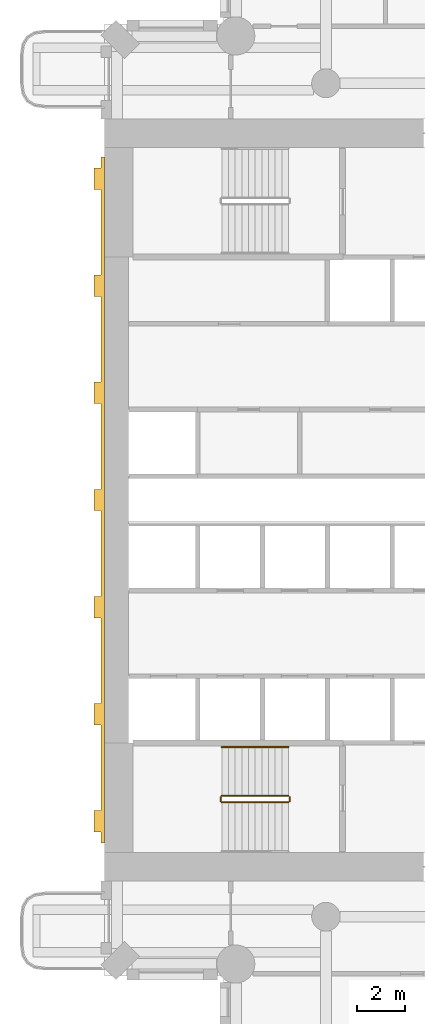
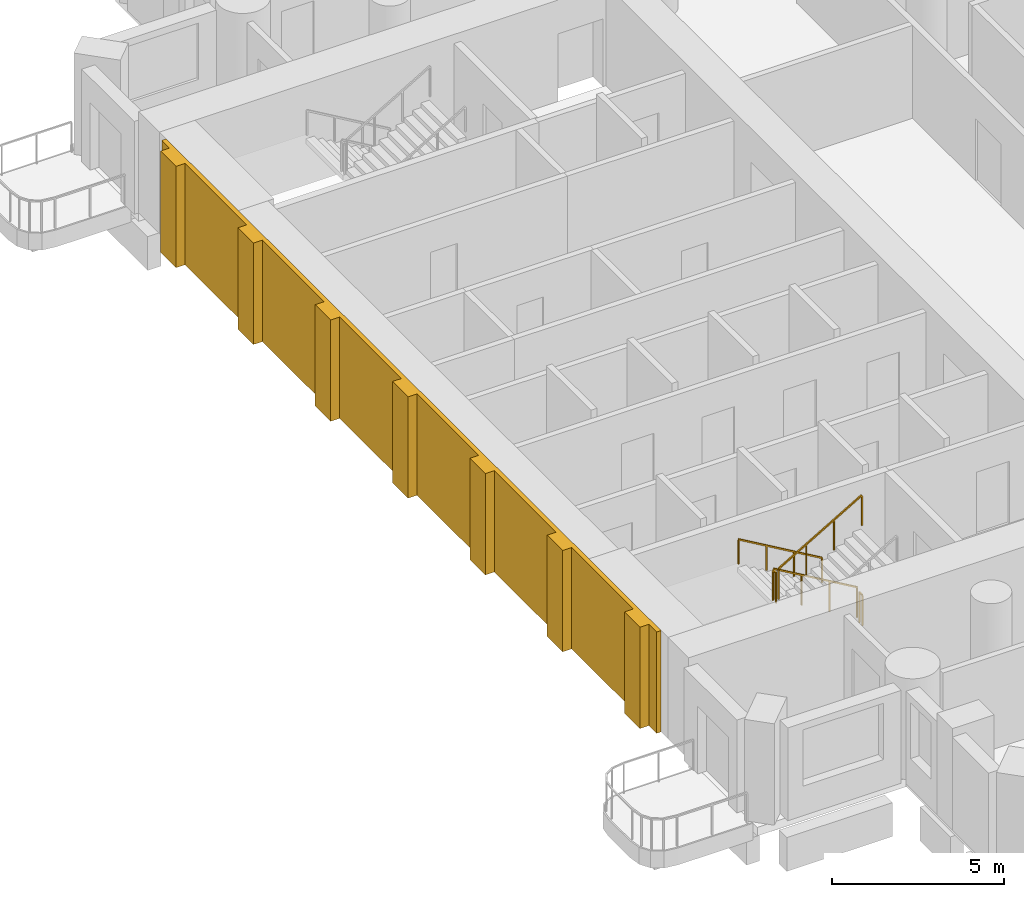
# One storey, part 13 of 19: 5 railings, 1 covering.
"""IFC4 building model written with IfcOpenShell, lengths in metres."""

from ifc_helpers import new_model, si_unit, direction, frame, origin, origin_2d, place, context, subcontext, project, spatial, polyline, rectangle, outline, extrude, material, layer, layer_set, type_object, element, save


model = new_model("IFC4")

# Units and contexts
model_context = context("Model", 3, precision=1e-05, world=origin(), true_north=direction((0.0, 1.0)))
body_context = subcontext(model_context, "Body", "Model", "MODEL_VIEW")
ifc_project = project(units=[si_unit("LENGTHUNIT", "METRE"), si_unit("AREAUNIT", "SQUARE_METRE"), si_unit("VOLUMEUNIT", "CUBIC_METRE"), si_unit("PLANEANGLEUNIT", "RADIAN"), si_unit("MASSUNIT", "GRAM", prefix="KILO")], contexts=[model_context])

# Site, building, storey
site_placement = place(None, origin())
site = spatial("IfcSite", under=ifc_project, at=site_placement, CompositionType="ELEMENT")
building_placement = place(site_placement, origin())
building = spatial("IfcBuilding", under=site, at=building_placement, Name="Cypress Arch Tower", CompositionType="ELEMENT")
storey_placement = place(building_placement, frame((0.0, 0.0, 98.699951171875)))
storey = spatial("IfcBuildingStorey", under=building, at=storey_placement, Name="L19", CompositionType="ELEMENT", Elevation=98.699951171875)

# Railings
ifc_material_1 = material(Name="Black powder-coated steel square bar 48 mm", Category="steel")
railing_type_1 = type_object("IfcRailingType", Name="Stair handrail HR1", PredefinedType="HANDRAIL", material=ifc_material_1)
railing_1_placement = place(storey_placement, frame((-22.27490234375, -10.375, 0.16357421875)))
element("IfcRailing", 1, at=railing_1_placement, inside=storey, type_object=railing_type_1, Name="L19 A stair handrail 1", PredefinedType="HANDRAIL", context=body_context, shape_type="SweptSolid", body=[
    extrude(rectangle(XDim=0.048095703125, YDim=0.048095703125, at=origin_2d()), frame((0.0, 0.0, 0.8759765625), z_axis=(-0.863360870873, 0.0, 0.504586966384), x_axis=(0.0, -1.0, 0.0)), (0.0, 0.0, 1.0), 3.2431640625),
    extrude(rectangle(XDim=0.0419921875, YDim=0.0419921875, at=origin_2d()), origin(), (0.0, 0.0, 1.0), 0.851806640625),
    extrude(rectangle(XDim=0.0419921875, YDim=0.0419921875, at=origin_2d()), frame((-0.933349609375, 0.0, 0.54541015625)), (0.0, 0.0, 1.0), 0.851806640625),
    extrude(rectangle(XDim=0.0419921875, YDim=0.0419921875, at=origin_2d()), frame((-1.86669921875, 0.0, 1.091064453125)), (0.0, 0.0, 1.0), 0.851806640625),
    extrude(rectangle(XDim=0.0419921875, YDim=0.0419921875, at=origin_2d()), frame((-2.800048828125, 0.0, 1.636474609375)), (0.0, 0.0, 1.0), 0.851806640625),
])
ifc_material_2 = material(Name="Black powder-coated steel balusters", Category="steel")
railing_type_2 = type_object("IfcRailingType", Name="Stair well guard G1", PredefinedType="GUARDRAIL", material=ifc_material_2)
railing_2_placement = place(storey_placement, frame((-22.27490234375, -12.425048828125, 0.16357421875)))
element("IfcRailing", 2, at=railing_2_placement, inside=storey, type_object=railing_type_2, Name="L19 A stair guard 1", PredefinedType="GUARDRAIL", context=body_context, shape_type="SweptSolid", body=[
    extrude(rectangle(XDim=0.048095703125, YDim=0.048095703125, at=origin_2d()), frame((0.0, 0.0, 1.076171875), z_axis=(-0.863360870873, 0.0, 0.504586966384), x_axis=(0.0, -1.0, 0.0)), (0.0, 0.0, 1.0), 3.2431640625),
    extrude(rectangle(XDim=0.0419921875, YDim=0.0419921875, at=origin_2d()), origin(), (0.0, 0.0, 1.0), 1.052001953125),
    extrude(rectangle(XDim=0.0419921875, YDim=0.0419921875, at=origin_2d()), frame((-0.933349609375, 0.0, 0.54541015625)), (0.0, 0.0, 1.0), 1.052001953125),
    extrude(rectangle(XDim=0.0419921875, YDim=0.0419921875, at=origin_2d()), frame((-1.86669921875, 0.0, 1.091064453125)), (0.0, 0.0, 1.0), 1.052001953125),
    extrude(rectangle(XDim=0.0419921875, YDim=0.0419921875, at=origin_2d()), frame((-2.800048828125, 0.0, 1.636474609375)), (0.0, 0.0, 1.0), 1.052001953125),
])
railing_3_placement = place(storey_placement, frame((-25.125, -12.47509765625, 1.800048828125)))
element("IfcRailing", 3, at=railing_3_placement, inside=storey, type_object=railing_type_2, Name="L19 A stair guard 2", PredefinedType="GUARDRAIL", context=body_context, shape_type="SweptSolid", body=[
    extrude(rectangle(XDim=0.048095703125, YDim=0.048095703125, at=origin_2d()), frame((0.0, 0.0, 1.076171875), z_axis=(0.0, -1.0, 0.0), x_axis=(1.0, 0.0, 0.0)), (0.0, 0.0, 1.0), 0.1748046875),
    extrude(rectangle(XDim=0.0419921875, YDim=0.0419921875, at=origin_2d()), origin(), (0.0, 0.0, 1.0), 1.052001953125),
    extrude(rectangle(XDim=0.0419921875, YDim=0.0419921875, at=origin_2d()), frame((0.0, -0.1748046875, 0.0)), (0.0, 0.0, 1.0), 1.052001953125),
])
railing_4_placement = place(storey_placement, frame((-25.074951171875, -12.699951171875, 1.963623046875)))
element("IfcRailing", 4, at=railing_4_placement, inside=storey, type_object=railing_type_2, Name="L19 A stair guard 3", PredefinedType="GUARDRAIL", context=body_context, shape_type="SweptSolid", body=[
    extrude(rectangle(XDim=0.048095703125, YDim=0.048095703125, at=origin_2d()), frame((0.0, 0.0, 1.076171875), z_axis=(0.863360870873, 0.0, 0.504586966384), x_axis=(0.0, 1.0, 0.0)), (0.0, 0.0, 1.0), 3.2431640625),
    extrude(rectangle(XDim=0.0419921875, YDim=0.0419921875, at=origin_2d()), origin(), (0.0, 0.0, 1.0), 1.052001953125),
    extrude(rectangle(XDim=0.0419921875, YDim=0.0419921875, at=origin_2d()), frame((0.933349609375, 0.0, 0.54541015625)), (0.0, 0.0, 1.0), 1.052001953125),
    extrude(rectangle(XDim=0.0419921875, YDim=0.0419921875, at=origin_2d()), frame((1.86669921875, 0.0, 1.091064453125)), (0.0, 0.0, 1.0), 1.052001953125),
    extrude(rectangle(XDim=0.0419921875, YDim=0.0419921875, at=origin_2d()), frame((2.800048828125, 0.0, 1.636474609375)), (0.0, 0.0, 1.0), 1.052001953125),
])
railing_5_placement = place(storey_placement, frame((-22.22509765625, -12.47509765625, 0.0)))
element("IfcRailing", 5, at=railing_5_placement, inside=storey, type_object=railing_type_2, Name="L19 A stair guard 4", PredefinedType="GUARDRAIL", context=body_context, shape_type="SweptSolid", body=[
    extrude(rectangle(XDim=0.048095703125, YDim=0.048095703125, at=origin_2d()), frame((0.0, 0.0, 1.076171875), z_axis=(0.0, -1.0, 0.0), x_axis=(1.0, 0.0, 0.0)), (0.0, 0.0, 1.0), 0.1748046875),
    extrude(rectangle(XDim=0.0419921875, YDim=0.0419921875, at=origin_2d()), origin(), (0.0, 0.0, 1.0), 1.052001953125),
    extrude(rectangle(XDim=0.0419921875, YDim=0.0419921875, at=origin_2d()), frame((0.0, -0.1748046875, 0.0)), (0.0, 0.0, 1.0), 1.052001953125),
])

# Covering
ifc_material_3 = material(Name="Brick (red buff blend)", Category="masonry")
ifc_layer = layer(ifc_material_3, 0.449951171875)
ifc_layer_set = layer_set([ifc_layer], Name="West face brick piers WP450")
covering_type = type_object("IfcCoveringType", Name="West face brick piers WP450", PredefinedType="CLADDING", material=ifc_layer_set)
covering_placement = place(storey_placement, origin())
element("IfcCovering", 6, at=covering_placement, inside=storey, type_object=covering_type, Name="West face brick piers L19", PredefinedType="CLADDING", context=body_context, shape_type="SweptSolid", body=[
    extrude(outline(polyline([(-30.14990234375, -13.050048828125), (-30.14990234375, -9.449951171875), (-30.449951171875, -9.449951171875), (-30.449951171875, -8.550048828125), (-30.14990234375, -8.550048828125), (-30.14990234375, -4.949951171875), (-30.449951171875, -4.949951171875), (-30.449951171875, -4.050048828125), (-30.14990234375, -4.050048828125), (-30.14990234375, -0.449951171875), (-30.449951171875, -0.449951171875), (-30.449951171875, 0.449951171875), (-30.14990234375, 0.449951171875), (-30.14990234375, 4.050048828125), (-30.449951171875, 4.050048828125), (-30.449951171875, 4.949951171875), (-30.14990234375, 4.949951171875), (-30.14990234375, 8.550048828125), (-30.449951171875, 8.550048828125), (-30.449951171875, 9.449951171875), (-30.14990234375, 9.449951171875), (-30.14990234375, 13.050048828125), (-30.449951171875, 13.050048828125), (-30.449951171875, 13.949951171875), (-30.14990234375, 13.949951171875), (-30.14990234375, 14.39990234375), (-30.0, 14.39990234375), (-30.0, -14.39990234375), (-30.14990234375, -14.39990234375), (-30.14990234375, -13.949951171875), (-30.449951171875, -13.949951171875), (-30.449951171875, -13.050048828125), (-30.14990234375, -13.050048828125)])), origin(), (0.0, 0.0, 1.0), 3.60009765625),
])

save(model, "model.ifc")
